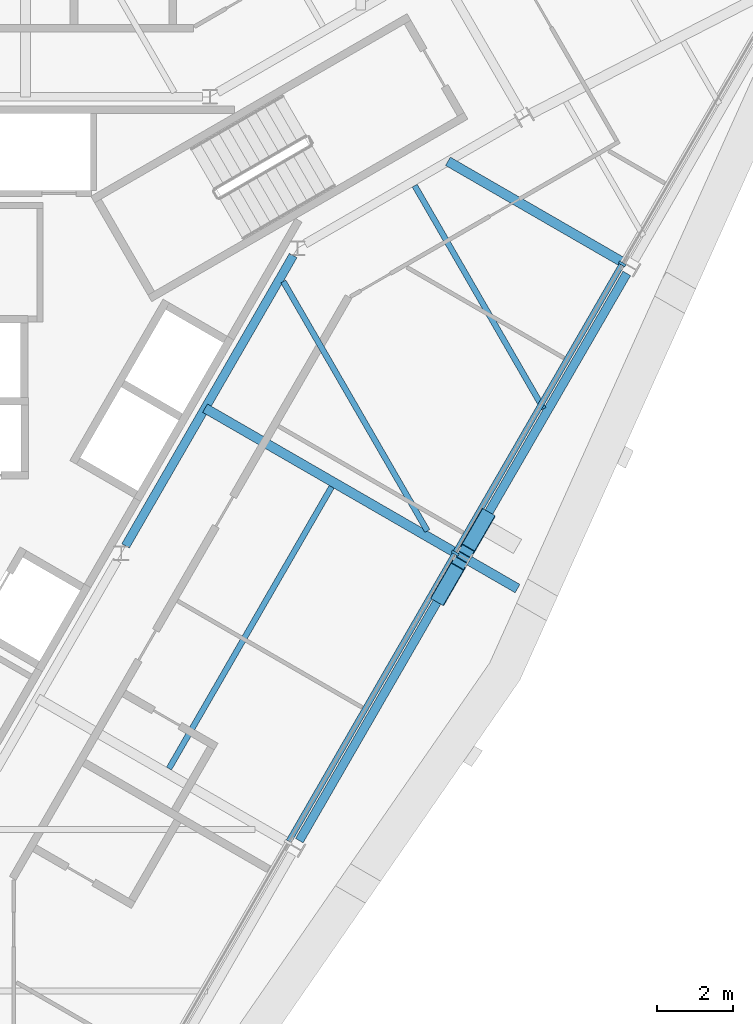
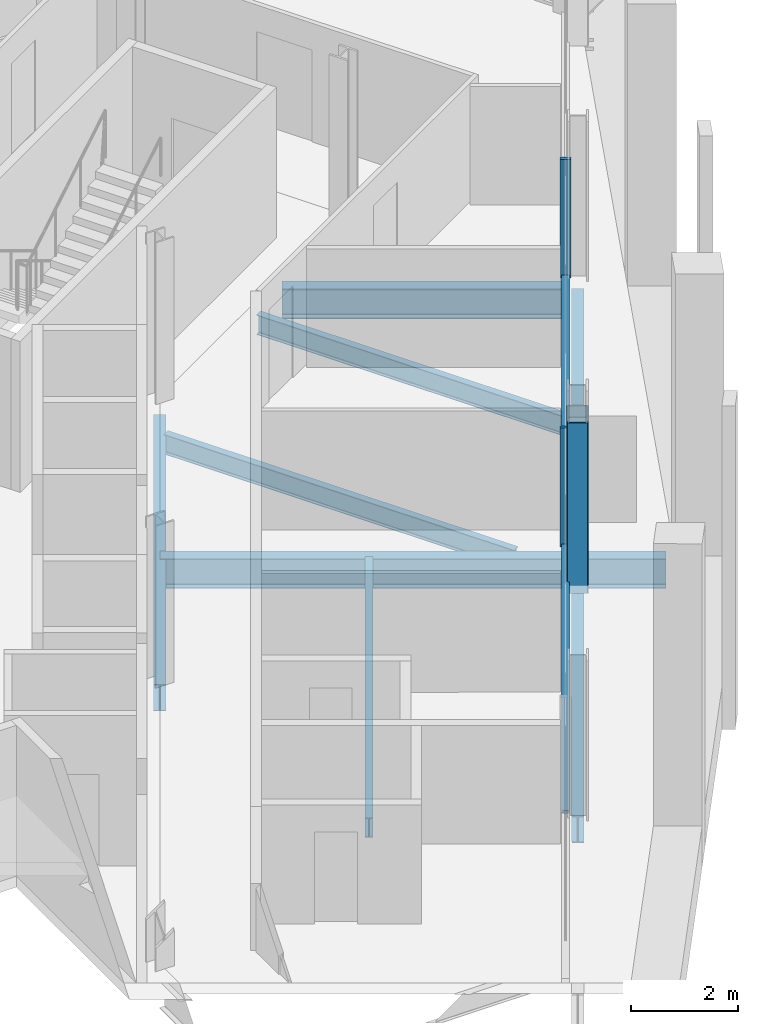
# One storey, part 5 of 14: 9 beams, 6 members, 1 element without a shape of its own.
"""IFC4 building model written with IfcOpenShell, lengths in metres."""

import ifcopenshell
import ifcopenshell.guid

model = None  # the IFC model being written
_history = None  # IfcOwnerHistory: only IFC2X3 demands one
_inside = {}  # id of a spatial element -> (the spatial element, [elements in it])
_under = {}  # id of a project, library or spatial element -> (it, [spatial elements below it])
_declared = {}  # id of a project -> (the project, [libraries it declares])
_typed = {}  # id of a type object -> (the type object, [elements of that type])
_made_of = {}  # id of a material, layer set ... -> (it, [elements and type objects made of it])


def new_model(schema):
    """Start an empty IFC model of exactly this schema.

    Asked for "IFC4X3", IfcOpenShell would pick the latest addendum, in which some entities
    have other attributes; the version numbers below select the first issue.
    IFC2X3 requires an IfcOwnerHistory on every rooted entity: one is made here for all.
    """
    global model, _history
    if schema == "IFC4X3":
        model = ifcopenshell.file(schema_version=(4, 3, 0, 0))
    else:
        model = ifcopenshell.file(schema=schema)
    _inside.clear()
    _under.clear()
    _declared.clear()
    _typed.clear()
    _made_of.clear()
    _history = None
    if model.schema == "IFC2X3":
        org = make("IfcOrganization", Name="unknown")
        user = make(
            "IfcPersonAndOrganization",
            ThePerson=make("IfcPerson", FamilyName="unknown"),
            TheOrganization=org,
        )
        app = make(
            "IfcApplication",
            ApplicationDeveloper=org,
            Version="unknown",
            ApplicationFullName="unknown",
            ApplicationIdentifier="unknown",
        )
        _history = make(
            "IfcOwnerHistory",
            OwningUser=user,
            OwningApplication=app,
            ChangeAction="ADDED",
            CreationDate=0,
        )
    return model


def make(cls, **values):
    """One entity of the class cls with the attributes given. An attribute that is None is left unset."""
    return model.create_entity(
        cls, **{name: value for name, value in values.items() if value is not None}
    )


def rooted(cls, **values):
    """An entity with a GlobalId (a new one), such as an element, a storey or a relation."""
    return make(cls, GlobalId=ifcopenshell.guid.new(), OwnerHistory=_history, **values)


def si_unit(unit_type, name, prefix=None):
    """IfcSIUnit, for example si_unit("LENGTHUNIT", "METRE", prefix="MILLI")."""
    return make("IfcSIUnit", UnitType=unit_type, Prefix=prefix, Name=name)


def assignment(units):
    """IfcUnitAssignment: the units of a project."""
    return None if units is None else make("IfcUnitAssignment", Units=units)


def point(xyz):
    """IfcCartesianPoint."""
    return None if xyz is None else make("IfcCartesianPoint", Coordinates=xyz)


def direction(xyz):
    """IfcDirection."""
    return None if xyz is None else make("IfcDirection", DirectionRatios=xyz)


def frame(location, z_axis=None, x_axis=None):
    """IfcAxis2Placement3D, a coordinate frame: its origin and axes. An axis left out is left unset."""
    return make(
        "IfcAxis2Placement3D",
        Location=point(location),
        Axis=direction(z_axis),
        RefDirection=direction(x_axis),
    )


def frame_2d(location, x_axis=None):
    """IfcAxis2Placement2D, a coordinate frame in the plane: its origin and x axis."""
    return make(
        "IfcAxis2Placement2D", Location=point(location), RefDirection=direction(x_axis)
    )


def origin():
    """The frame at (0, 0, 0) with its axes left unset."""
    return frame((0.0, 0.0, 0.0))


def origin_2d():
    """The frame at (0, 0) in the plane with its x axis left unset."""
    return frame_2d((0.0, 0.0))


def place(relative_to, where):
    """IfcLocalPlacement: puts the frame where relative to a parent placement (None: the world)."""
    return make(
        "IfcLocalPlacement", PlacementRelTo=relative_to, RelativePlacement=where
    )


def context(
    kind, dimensions, precision=None, world=None, true_north=None, identifier=None
):
    """IfcGeometricRepresentationContext, for example the 3D "Model" context."""
    return make(
        "IfcGeometricRepresentationContext",
        ContextIdentifier=identifier,
        ContextType=kind,
        CoordinateSpaceDimension=dimensions,
        Precision=precision,
        WorldCoordinateSystem=world,
        TrueNorth=true_north,
    )


def subcontext(parent, identifier, kind, view, scale=None):
    """IfcGeometricRepresentationSubContext, for example "Body" below "Model"."""
    return make(
        "IfcGeometricRepresentationSubContext",
        ContextIdentifier=identifier,
        ContextType=kind,
        ParentContext=parent,
        TargetScale=scale,
        TargetView=view,
    )


def project(units=None, contexts=None):
    """IfcProject with its units and contexts."""
    return rooted(
        "IfcProject",
        Name="project",
        RepresentationContexts=contexts,
        UnitsInContext=assignment(units),
    )


def spatial(cls, under=None, at=None, **own):
    """A site, building, storey or space (cls), placed at a placement, below another one or the project."""
    s = rooted(cls, ObjectPlacement=at, **own)
    if under is not None:
        _under.setdefault(under.id(), (under, []))[1].append(s)
    return s


def profile(cls, at=None, kind="AREA", **sizes):
    """A parametric profile (cls). Its sizes go by their IFC names, for example OverallWidth=200.0."""
    return make(cls, ProfileType=kind, Position=at, **sizes)


def rectangle(**sizes):
    """IfcRectangleProfileDef."""
    return profile("IfcRectangleProfileDef", **sizes)


def hollow_rectangle(**sizes):
    """IfcRectangleHollowProfileDef."""
    return profile("IfcRectangleHollowProfileDef", **sizes)


def i_section(**sizes):
    """IfcIShapeProfileDef."""
    return profile("IfcIShapeProfileDef", **sizes)


def extrude(swept, where, along, depth):
    """IfcExtrudedAreaSolid: the profile swept, set in the frame where, extruded along a direction by depth."""
    return make(
        "IfcExtrudedAreaSolid",
        SweptArea=swept,
        Position=where,
        ExtrudedDirection=direction(along),
        Depth=depth,
    )


def shape(context_of_items, identifier, shape_type, items):
    """IfcShapeRepresentation: the items that make up one representation, for example the "Body"."""
    return make(
        "IfcShapeRepresentation",
        ContextOfItems=context_of_items,
        RepresentationIdentifier=identifier,
        RepresentationType=shape_type,
        Items=items,
    )


def material(Name=None, Category=None):
    """IfcMaterial."""
    return make("IfcMaterial", Name=Name, Category=Category)


def material_profile(
    of_material, cross_section, Name=None, Category=None, Priority=None
):
    """IfcMaterialProfile: a cross section and its material."""
    return make(
        "IfcMaterialProfile",
        Name=Name,
        Material=of_material,
        Profile=cross_section,
        Priority=Priority,
        Category=Category,
    )


def profile_set(profiles, Name=None, composite=None):
    """IfcMaterialProfileSet."""
    return make(
        "IfcMaterialProfileSet",
        Name=Name,
        MaterialProfiles=profiles,
        CompositeProfile=composite,
    )


def made_of(thing, what):
    """Note that an element or type object is made of a material, layer set ...; save() writes the relation."""
    if what is not None:
        _made_of.setdefault(what.id(), (what, []))[1].append(thing)
    return thing


def type_object(cls, material=None, **own):
    """A type object (cls), such as IfcWallType, which elements share."""
    return made_of(rooted(cls, **own), material)


def element(
    cls,
    number,
    at=None,
    inside=None,
    cuts=None,
    type_object=None,
    material=None,
    context=None,
    identifier="Body",
    shape_type=None,
    held_by="IfcProductDefinitionShape",
    body=None,
    shapes=None,
    **own,
):
    """One element of the class cls, such as IfcWall. Its Tag is "e" and its number.

    at: its placement. inside: the storey or other place that contains it. cuts: it is an
    opening in that element (IfcRelVoidsElement). A single representation is given by context,
    identifier, shape_type and body (its items); several are given by shapes. held_by: the class
    of the entity that holds the representations. save() writes the other relations.
    """
    e = rooted(cls, Tag="e%d" % number, ObjectPlacement=at, **own)
    if body is not None:
        shapes = [shape(context, identifier, shape_type, body)]
    if shapes is not None:
        e.Representation = make(held_by, Representations=shapes)
    if inside is not None:
        _inside.setdefault(inside.id(), (inside, []))[1].append(e)
    if cuts is not None:
        rooted(
            "IfcRelVoidsElement", RelatingBuildingElement=cuts, RelatedOpeningElement=e
        )
    if type_object is not None:
        _typed.setdefault(type_object.id(), (type_object, []))[1].append(e)
    return made_of(e, material)


def aggregate(whole, parts):
    """IfcRelAggregates: a whole, such as a stair, and the parts it consists of."""
    return rooted("IfcRelAggregates", RelatingObject=whole, RelatedObjects=parts)


def save(model, path):
    """Write the relations noted so far, then the file.

    IfcRelAggregates (storeys below a building ...), IfcRelContainedInSpatialStructure (elements
    in a storey), IfcRelDefinesByType, IfcRelAssociatesMaterial and IfcRelDeclares: one each for
    every whole, place, type object, material and project.
    """
    for whole, parts in _under.values():
        aggregate(whole, parts)
    for where, things in _inside.values():
        rooted(
            "IfcRelContainedInSpatialStructure",
            RelatedElements=things,
            RelatingStructure=where,
        )
    for kind, things in _typed.values():
        rooted("IfcRelDefinesByType", RelatedObjects=things, RelatingType=kind)
    for what, things in _made_of.values():
        rooted("IfcRelAssociatesMaterial", RelatedObjects=things, RelatingMaterial=what)
    for by, libraries in _declared.values():
        rooted("IfcRelDeclares", RelatingContext=by, RelatedDefinitions=libraries)
    model.write(path)


model = new_model("IFC4")

# Units and contexts
model_context = context("Model", 3, precision=1e-05, world=origin(), true_north=direction((0.0, 1.0)))
body_context = subcontext(model_context, "Body", "Model", "MODEL_VIEW")
ifc_project = project(units=[si_unit("LENGTHUNIT", "METRE"), si_unit("AREAUNIT", "SQUARE_METRE"), si_unit("VOLUMEUNIT", "CUBIC_METRE"), si_unit("PLANEANGLEUNIT", "RADIAN"), si_unit("MASSUNIT", "GRAM", prefix="KILO")], contexts=[model_context])

# Site, building, storey
site_placement = place(None, origin())
site = spatial("IfcSite", under=ifc_project, at=site_placement, CompositionType="ELEMENT")
building_placement = place(site_placement, origin())
building = spatial("IfcBuilding", under=site, at=building_placement, Name="Verrane Prism Tower", CompositionType="ELEMENT")
storey_placement = place(building_placement, frame((0.0, 0.0, 228.60009765625)))
storey = spatial("IfcBuildingStorey", under=building, at=storey_placement, Name="L57", CompositionType="ELEMENT", Elevation=228.60009765625)

# Beam
ifc_material_1 = material(Name="Steel A992", Category="steel")
ifc_material_profile_1 = material_profile(ifc_material_1, i_section(OverallWidth=0.23046875, OverallDepth=0.6171875, WebThickness=0.01318359375, FlangeThickness=0.022216796875, FilletRadius=0.012939453125, at=origin_2d()), Name="W24x94")
ifc_profile_set_1 = profile_set([ifc_material_profile_1], Name="Steel A992")
beam_type_1 = type_object("IfcBeamType", Name="Core ring girder W24x94", PredefinedType="BEAM", material=ifc_profile_set_1)
beam_1_placement = place(storey_placement, frame((7.04150390625, -3.806884765625, -0.55859375), z_axis=(0.499967007444, 0.866044451208, 0.0), x_axis=(-0.866044451208, 0.499967007444, 0.0)))
element("IfcBeam", 1, at=beam_1_placement, inside=storey, type_object=beam_type_1, Name="Core ring girder L57", PredefinedType="BEAM", context=body_context, shape_type="SweptSolid", body=[
    extrude(i_section(OverallWidth=0.23046875, OverallDepth=0.6171875, WebThickness=0.01318359375, FlangeThickness=0.022216796875, FilletRadius=0.012939453125, at=origin_2d()), origin(), (0.0, 0.0, 1.0), 8.814453125),
])

# Members
ifc_material_2 = material(Name="Steel A500 Grade C", Category="steel")
ifc_material_profile_2 = material_profile(ifc_material_2, hollow_rectangle(XDim=0.406494140625, YDim=0.406494140625, WallThickness=0.01904296875, InnerFilletRadius=0.009521484375, OuterFilletRadius=0.028564453125, at=origin_2d()), Name="HSS16x16x3/4")
ifc_profile_set_2 = profile_set([ifc_material_profile_2], Name="Steel A500 Grade C")
member_type_1 = type_object("IfcMemberType", Name="Facade brace HSS16x16x3/4", PredefinedType="BRACE", material=ifc_profile_set_2)
member_1_placement = place(storey_placement, frame((15.32421875, -5.11572265625, -0.216796875), z_axis=(0.160861231008, 0.278884815454, 0.946756000281), x_axis=(-0.866231099009, 0.499643556057, 0.0)))
element("IfcMember", 2, at=member_1_placement, inside=storey, type_object=member_type_1, Name="Facade brace SE2 L57", PredefinedType="BRACE", context=body_context, shape_type="SweptSolid", body=[
    extrude(hollow_rectangle(XDim=0.406494140625, YDim=0.406494140625, WallThickness=0.01904296875, InnerFilletRadius=0.009521484375, OuterFilletRadius=0.028564453125, at=origin_2d()), origin(), (0.0, 0.0, 1.0), 3.328369140625),
])
member_2_placement = place(storey_placement, frame((16.4970703125, -3.084228515625, -0.216796875), z_axis=(-0.161147026962, -0.278871641561, 0.946711277652), x_axis=(0.865836573738, -0.5003269207, 0.0)))
element("IfcMember", 3, at=member_2_placement, inside=storey, type_object=member_type_1, Name="Facade brace SE3 L57", PredefinedType="BRACE", context=body_context, shape_type="SweptSolid", body=[
    extrude(hollow_rectangle(XDim=0.406494140625, YDim=0.406494140625, WallThickness=0.01904296875, InnerFilletRadius=0.009521484375, OuterFilletRadius=0.028564453125, at=origin_2d()), origin(), (0.0, 0.0, 1.0), 3.32861328125),
])

# Beams
ifc_material_3 = material(Name="Steel A992", Category="steel")
ifc_material_profile_3 = material_profile(ifc_material_3, i_section(OverallWidth=0.15234375, OverallDepth=0.449462890625, WebThickness=0.007568359375, FlangeThickness=0.0107421875, FilletRadius=0.01025390625, at=origin_2d()), Name="W18x35")
ifc_profile_set_3 = profile_set([ifc_material_profile_3], Name="Steel A992")
beam_type_2 = type_object("IfcBeamType", Name="Floor beam W18x35", PredefinedType="BEAM", material=ifc_profile_set_3)
beam_2_placement = place(storey_placement, frame((8.18359375, -9.659912109375, -0.385009765625), z_axis=(0.500005905661, 0.866021994122, 0.0), x_axis=(-0.866021994122, 0.500005905661, 0.0)))
element("IfcBeam", 4, at=beam_2_placement, inside=storey, type_object=beam_type_2, Name="Floor beam L57", PredefinedType="BEAM", context=body_context, shape_type="SweptSolid", body=[
    extrude(i_section(OverallWidth=0.15234375, OverallDepth=0.449462890625, WebThickness=0.007568359375, FlangeThickness=0.0107421875, FilletRadius=0.01025390625, at=origin_2d()), origin(), (0.0, 0.0, 1.0), 8.54931640625),
])
beam_3_placement = place(storey_placement, frame((18.029541015625, -0.203125, -0.385009765625), z_axis=(-0.500004319728, 0.866022909774, 0.0), x_axis=(-0.866022909774, -0.500004319728, 0.0)))
element("IfcBeam", 5, at=beam_3_placement, inside=storey, type_object=beam_type_2, Name="Floor beam L57", PredefinedType="BEAM", context=body_context, shape_type="SweptSolid", body=[
    extrude(i_section(OverallWidth=0.15234375, OverallDepth=0.449462890625, WebThickness=0.007568359375, FlangeThickness=0.0107421875, FilletRadius=0.01025390625, at=origin_2d()), origin(), (0.0, 0.0, 1.0), 6.77294921875),
])
beam_4_placement = place(storey_placement, frame((14.9755859375, -3.414306640625, -0.385009765625), z_axis=(-0.500014461485, 0.866017054281, 0.0), x_axis=(-0.866017054281, -0.500014461485, 0.0)))
element("IfcBeam", 6, at=beam_4_placement, inside=storey, type_object=beam_type_2, Name="Floor beam L57", PredefinedType="BEAM", context=body_context, shape_type="SweptSolid", body=[
    extrude(i_section(OverallWidth=0.15234375, OverallDepth=0.449462890625, WebThickness=0.007568359375, FlangeThickness=0.0107421875, FilletRadius=0.01025390625, at=origin_2d()), origin(), (0.0, 0.0, 1.0), 7.574951171875),
])

# Curtain wall, members
ifc_material_4 = material(Name="Aluminium framed insulated glazing", Category="aluminium")
curtain_wall_type = type_object("IfcCurtainWallType", Name="Curtain wall CW-A 8400 module", PredefinedType="NOTDEFINED", material=ifc_material_4)
curtain_wall_placement = place(storey_placement, origin())
curtain_wall = element("IfcCurtainWall", 7, at=curtain_wall_placement, inside=storey, type_object=curtain_wall_type, Name="Glazed curtain wall south-east face L57", PredefinedType="NOTDEFINED")
ifc_material_5 = material(Name="Aluminium alloy 6063-T6", Category="aluminium")
ifc_material_profile_4 = material_profile(ifc_material_5, rectangle(XDim=0.199951171875, YDim=0.070068359375, at=origin_2d()), Name="Mullion 70x200 aluminium")
ifc_profile_set_4 = profile_set([ifc_material_profile_4], Name="Aluminium alloy 6063-T6")
member_type_2 = type_object("IfcMemberType", Name="Mullion 70x200 aluminium", PredefinedType="MULLION", material=ifc_profile_set_4)
member_3_placement = place(storey_placement, frame((15.70703125, -3.998046875, 0.0), z_axis=(0.0, 0.0, 1.0), x_axis=(-0.866024862365, 0.500000937764, 0.0)))
member_3 = element("IfcMember", 8, at=member_3_placement, type_object=member_type_2, Name="CW57.6 mullion 4", PredefinedType="MULLION", context=body_context, shape_type="SweptSolid", body=[
    extrude(rectangle(XDim=0.199951171875, YDim=0.070068359375, at=origin_2d()), origin(), (0.0, 0.0, 1.0), 2.712890625),
])
member_4_placement = place(storey_placement, frame((20.09814453125, 3.607421875, 0.0), z_axis=(0.0, 0.0, 1.0), x_axis=(-0.866024862365, 0.500000937764, 0.0)))
member_4 = element("IfcMember", 9, at=member_4_placement, type_object=member_type_2, Name="CW57.6 mullion 5", PredefinedType="MULLION", context=body_context, shape_type="SweptSolid", body=[
    extrude(rectangle(XDim=0.199951171875, YDim=0.070068359375, at=origin_2d()), origin(), (0.0, 0.0, 1.0), 2.712890625),
])

# Beams
ifc_material_6 = material(Name="Steel A992", Category="steel")
ifc_material_profile_5 = material_profile(ifc_material_6, i_section(OverallWidth=0.25390625, OverallDepth=0.683349609375, WebThickness=0.012451171875, FlangeThickness=0.01904296875, FilletRadius=0.01513671875, at=origin_2d()), Name="W27x94")
ifc_profile_set_5 = profile_set([ifc_material_profile_5], Name="Steel A992")
beam_type_3 = type_object("IfcBeamType", Name="Radial girder W27x94", PredefinedType="BEAM", material=ifc_profile_set_5)
beam_5_placement = place(storey_placement, frame((15.7373046875, -4.000244140625, -0.561767578125), z_axis=(-0.86603047963, 0.499991208275, 0.0), x_axis=(-0.499991208275, -0.86603047963, 0.0)))
element("IfcBeam", 10, at=beam_5_placement, inside=storey, type_object=beam_type_3, Name="Radial girder L57", PredefinedType="BEAM", context=body_context, shape_type="SweptSolid", body=[
    extrude(i_section(OverallWidth=0.25390625, OverallDepth=0.683349609375, WebThickness=0.012451171875, FlangeThickness=0.01904296875, FilletRadius=0.01513671875, at=origin_2d()), origin(), (0.0, 0.0, 1.0), 7.627685546875),
])
beam_6_placement = place(storey_placement, frame((20.147216796875, 3.629638671875, -0.561767578125), z_axis=(-0.866020604947, 0.500008311739, 0.0), x_axis=(-0.500008311739, -0.866020604947, 0.0)))
element("IfcBeam", 11, at=beam_6_placement, inside=storey, type_object=beam_type_3, Name="Radial girder L57", PredefinedType="BEAM", context=body_context, shape_type="SweptSolid", body=[
    extrude(i_section(OverallWidth=0.25390625, OverallDepth=0.683349609375, WebThickness=0.012451171875, FlangeThickness=0.01904296875, FilletRadius=0.01513671875, at=origin_2d()), origin(), (0.0, 0.0, 1.0), 5.34765625),
])
beam_7_placement = place(storey_placement, frame((16.0791015625, -4.19775390625, -0.561767578125), z_axis=(0.86607715515, -0.499910353291, 0.0), x_axis=(0.499910353291, 0.86607715515, 0.0)))
element("IfcBeam", 12, at=beam_7_placement, inside=storey, type_object=beam_type_3, Name="Cantilever girder L57", PredefinedType="BEAM", context=body_context, shape_type="SweptSolid", body=[
    extrude(i_section(OverallWidth=0.25390625, OverallDepth=0.683349609375, WebThickness=0.012451171875, FlangeThickness=0.01904296875, FilletRadius=0.01513671875, at=origin_2d()), origin(), (0.0, 0.0, 1.0), 1.462158203125),
])
ifc_material_7 = material(Name="Steel A992", Category="steel")
ifc_material_profile_6 = material_profile(ifc_material_7, i_section(OverallWidth=0.23046875, OverallDepth=0.6171875, WebThickness=0.01318359375, FlangeThickness=0.022216796875, FilletRadius=0.012939453125, at=origin_2d()), Name="W24x94")
ifc_profile_set_6 = profile_set([ifc_material_profile_6], Name="Steel A992")
beam_type_4 = type_object("IfcBeamType", Name="Spandrel beam W24x94", PredefinedType="SPANDREL", material=ifc_profile_set_6)
beam_8_placement = place(storey_placement, frame((11.610107421875, -11.55615234375, -0.46875), z_axis=(0.499569084189, 0.866274050242, 0.0), x_axis=(-0.866274050242, 0.499569084189, 0.0)))
element("IfcBeam", 13, at=beam_8_placement, inside=storey, type_object=beam_type_4, Name="Spandrel beam L57", PredefinedType="SPANDREL", context=body_context, shape_type="SweptSolid", body=[
    extrude(i_section(OverallWidth=0.23046875, OverallDepth=0.6171875, WebThickness=0.01318359375, FlangeThickness=0.022216796875, FilletRadius=0.012939453125, at=origin_2d()), origin(), (0.0, 0.0, 1.0), 8.40673828125),
])
beam_9_placement = place(storey_placement, frame((16.010498046875, -3.92626953125, -0.46875), z_axis=(0.500396552915, 0.865796332766, 0.0), x_axis=(-0.865796332766, 0.500396552915, 0.0)))
element("IfcBeam", 14, at=beam_9_placement, inside=storey, type_object=beam_type_4, Name="Spandrel beam L57", PredefinedType="SPANDREL", context=body_context, shape_type="SweptSolid", body=[
    extrude(i_section(OverallWidth=0.23046875, OverallDepth=0.6171875, WebThickness=0.01318359375, FlangeThickness=0.022216796875, FilletRadius=0.012939453125, at=origin_2d()), origin(), (0.0, 0.0, 1.0), 8.411376953125),
])

# Member
ifc_material_8 = material(Name="Aluminium alloy 6063-T6", Category="aluminium")
ifc_material_profile_7 = material_profile(ifc_material_8, rectangle(XDim=0.14990234375, YDim=0.070068359375, at=origin_2d()), Name="Transom 70x150 aluminium")
ifc_profile_set_7 = profile_set([ifc_material_profile_7], Name="Aluminium alloy 6063-T6")
member_type_3 = type_object("IfcMemberType", Name="Transom 70x150 aluminium", PredefinedType="USERDEFINED", material=ifc_profile_set_7)
member_5_placement = place(storey_placement, frame((11.33349609375, -11.5732421875, 0.034912109375), z_axis=(0.500024057273, 0.866011513866, 0.0), x_axis=(-0.866011513866, 0.500024057273, 0.0)))
member_5 = element("IfcMember", 15, at=member_5_placement, type_object=member_type_3, Name="CW57.6 transom 3", ObjectType="TRANSOM", PredefinedType="USERDEFINED", context=body_context, shape_type="SweptSolid", body=[
    extrude(rectangle(XDim=0.14990234375, YDim=0.070068359375, at=origin_2d()), origin(), (0.0, 0.0, 1.0), 8.7119140625),
])

member_6_placement = place(storey_placement, frame((15.724609375, -3.9677734375, 0.034912109375), z_axis=(0.499990905326, 0.866030654533, 0.0), x_axis=(-0.866030654533, 0.499990905326, 0.0)))
member_6 = element("IfcMember", 16, at=member_6_placement, type_object=member_type_3, Name="CW57.6 transom 4", ObjectType="TRANSOM", PredefinedType="USERDEFINED", context=body_context, shape_type="SweptSolid", body=[
    extrude(rectangle(XDim=0.14990234375, YDim=0.070068359375, at=origin_2d()), origin(), (0.0, 0.0, 1.0), 8.712158203125),
])

aggregate(curtain_wall, [member_3, member_4, member_5, member_6])

save(model, "model.ifc")
